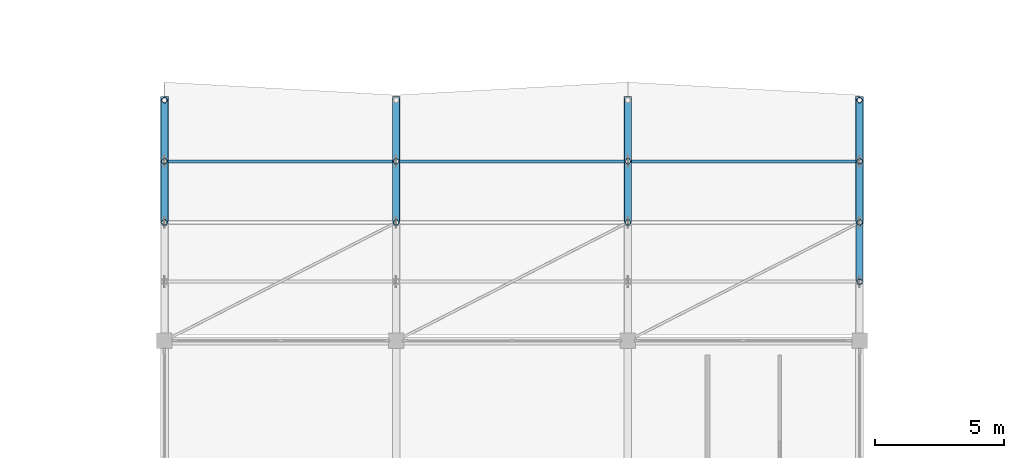
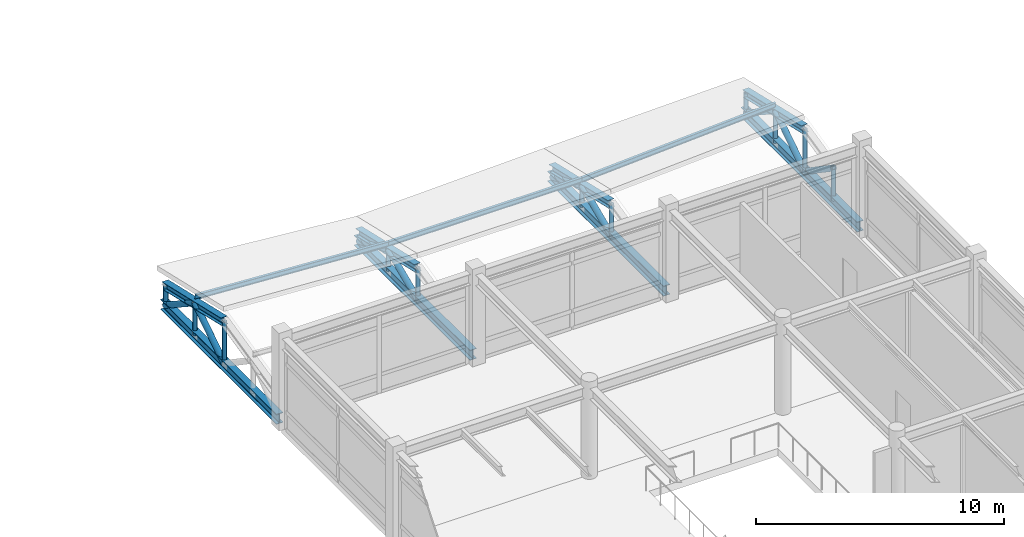
# One storey, part 27 of 61: 27 members, 4 beams.
"""IFC4 building model written with IfcOpenShell, lengths in metres."""

from ifc_helpers import new_model, si_unit, direction, frame, origin, origin_2d, place, context, subcontext, project, spatial, hollow_circle, i_section, extrude, material, material_profile, profile_set, type_object, element, save


model = new_model("IFC4")

# Units and contexts
model_context = context("Model", 3, precision=1e-05, world=origin(), true_north=direction((0.0, 1.0)))
body_context = subcontext(model_context, "Body", "Model", "MODEL_VIEW")
ifc_project = project(units=[si_unit("LENGTHUNIT", "METRE"), si_unit("AREAUNIT", "SQUARE_METRE"), si_unit("VOLUMEUNIT", "CUBIC_METRE"), si_unit("PLANEANGLEUNIT", "RADIAN"), si_unit("MASSUNIT", "GRAM", prefix="KILO")], contexts=[model_context])

# Site, building, storey
site_placement = place(None, origin())
site = spatial("IfcSite", under=ifc_project, at=site_placement, CompositionType="ELEMENT")
building_placement = place(site_placement, origin())
building = spatial("IfcBuilding", under=site, at=building_placement, Name="Bozkorgan Art Gallery", CompositionType="ELEMENT")
storey_placement = place(building_placement, frame((0.0, 0.0, 10.199951171875)))
storey = spatial("IfcBuildingStorey", under=building, at=storey_placement, Name="L02", CompositionType="ELEMENT", Elevation=10.199951171875)

# Beams
ifc_material = material(Name="Steel S355J2", Category="steel")
ifc_material_profile_1 = material_profile(ifc_material, i_section(OverallWidth=0.300048828125, OverallDepth=0.5, WebThickness=0.014404296875, FlangeThickness=0.028076171875, FilletRadius=0.027099609375, at=origin_2d()), Name="HEB 500")
ifc_profile_set_1 = profile_set([ifc_material_profile_1], Name="Steel S355J2")
beam_type = type_object("IfcBeamType", Name="BEAM-TB-54", PredefinedType="BEAM", material=ifc_profile_set_1)
for number, where, z_axis, x_axis, name in (
    (1, (74.0, 93.75, 0.25), (0.0, 1.0, 0.0), (-1.0, 0.0, 0.0), "ROOF-V4-STEP2 roof truss 1 bottom chord"),
    (2, (83.0, 93.75, 0.25), (0.0, 1.0, 0.0), (-1.0, 0.0, 0.0), "ROOF-V4-STEP2 roof truss 2 bottom chord"),
    (3, (92.0, 93.75, 0.25), (0.0, 1.0, 0.0), (-1.0, 0.0, 0.0), "ROOF-V4-STEP2 roof truss 3 bottom chord"),
    (4, (101.0, 93.75, 0.25), (0.0, 1.0, 0.0), (-1.0, 0.0, 0.0), "ROOF-V4-STEP2 roof truss 4 bottom chord"),
):
    element("IfcBeam", number, at=place(storey_placement, frame(where, z_axis=z_axis, x_axis=x_axis)), inside=storey, type_object=beam_type, Name=name, PredefinedType="BEAM", context=body_context, shape_type="SweptSolid", body=[
        extrude(i_section(OverallWidth=0.300048828125, OverallDepth=0.5, WebThickness=0.014404296875, FlangeThickness=0.028076171875, FilletRadius=0.027099609375, at=origin_2d()), origin(), (0.0, 0.0, 1.0), 9.340087890625),
    ])

# Members
ifc_material_profile_2 = material_profile(ifc_material, i_section(OverallWidth=0.1201171875, OverallDepth=0.239990234375, WebThickness=0.006103515625, FlangeThickness=0.009765625, FilletRadius=0.014892578125, at=origin_2d()), Name="IPE 240")
ifc_profile_set_2 = profile_set([ifc_material_profile_2], Name="Steel S355J2")
member_type_1 = type_object("IfcMemberType", Name="MEMBER-PR-34", PredefinedType="PURLIN", material=ifc_profile_set_2)
member_1_placement = place(storey_placement, frame((74.0, 100.574951171875, 2.09423828125), z_axis=(0.998286212097, 0.0, -0.058520412987), x_axis=(0.0, 1.0, 0.0)))
element("IfcMember", 5, at=member_1_placement, inside=storey, type_object=member_type_1, Name="ROOF-V4-STEP2 roof purlin 1N", PredefinedType="PURLIN", context=body_context, shape_type="SweptSolid", body=[
    extrude(i_section(OverallWidth=0.1201171875, OverallDepth=0.239990234375, WebThickness=0.006103515625, FlangeThickness=0.009765625, FilletRadius=0.014892578125, at=origin_2d()), origin(), (0.0, 0.0, 1.0), 9.015380859375),
])
member_2_placement = place(storey_placement, frame((83.0, 100.574951171875, 1.566650390625), z_axis=(1.0, 0.0, 0.0), x_axis=(0.0, 1.0, 0.0)))
element("IfcMember", 6, at=member_2_placement, inside=storey, type_object=member_type_1, Name="ROOF-V4-STEP2 roof purlin 2N", PredefinedType="PURLIN", context=body_context, shape_type="SweptSolid", body=[
    extrude(i_section(OverallWidth=0.1201171875, OverallDepth=0.239990234375, WebThickness=0.006103515625, FlangeThickness=0.009765625, FilletRadius=0.014892578125, at=origin_2d()), origin(), (0.0, 0.0, 1.0), 9.0),
])
member_3_placement = place(storey_placement, frame((92.0, 100.574951171875, 1.566650390625), z_axis=(0.998286212097, 0.0, 0.058520412987), x_axis=(0.0, 1.0, 0.0)))
element("IfcMember", 7, at=member_3_placement, inside=storey, type_object=member_type_1, Name="ROOF-V4-STEP2 roof purlin 3N", PredefinedType="PURLIN", context=body_context, shape_type="SweptSolid", body=[
    extrude(i_section(OverallWidth=0.1201171875, OverallDepth=0.239990234375, WebThickness=0.006103515625, FlangeThickness=0.009765625, FilletRadius=0.014892578125, at=origin_2d()), origin(), (0.0, 0.0, 1.0), 9.015380859375),
])
ifc_material_profile_3 = material_profile(ifc_material, i_section(OverallWidth=0.300048828125, OverallDepth=0.35009765625, WebThickness=0.010009765625, FlangeThickness=0.017578125, FilletRadius=0.027099609375, at=origin_2d()), Name="HEA 360")
ifc_profile_set_3 = profile_set([ifc_material_profile_3], Name="Steel S355J2")
member_type_2 = type_object("IfcMemberType", Name="MEMBER-TC-31", PredefinedType="CHORD", material=ifc_profile_set_3)
for number, where, z_axis, x_axis, name in (
    (8, (74.0, 98.199951171875, 2.347412109375), (0.0, 0.974367556786, -0.224961917408), (-1.0, 0.0, 0.0), "ROOF-V4-STEP2 roof truss 1 north top chord"),
    (9, (83.0, 98.199951171875, 1.820068359375), (0.0, 0.974367556786, -0.224961917408), (-1.0, 0.0, 0.0), "ROOF-V4-STEP2 roof truss 2 north top chord"),
    (10, (92.0, 98.199951171875, 1.820068359375), (0.0, 0.974367556786, -0.224961917408), (-1.0, 0.0, 0.0), "ROOF-V4-STEP2 roof truss 3 north top chord"),
    (11, (101.0, 98.199951171875, 2.347412109375), (0.0, 0.974367556786, -0.224961917408), (-1.0, 0.0, 0.0), "ROOF-V4-STEP2 roof truss 4 north top chord"),
):
    element("IfcMember", number, at=place(storey_placement, frame(where, z_axis=z_axis, x_axis=x_axis)), inside=storey, type_object=member_type_2, Name=name, PredefinedType="CHORD", context=body_context, shape_type="SweptSolid", body=[
        extrude(i_section(OverallWidth=0.300048828125, OverallDepth=0.35009765625, WebThickness=0.010009765625, FlangeThickness=0.017578125, FilletRadius=0.027099609375, at=origin_2d()), origin(), (0.0, 0.0, 1.0), 4.875),
    ])
ifc_material_profile_4 = material_profile(ifc_material, hollow_circle(Radius=0.109619140625, WallThickness=0.010009765625, at=origin_2d()), Name="CHS 219.1x10")
ifc_profile_set_4 = profile_set([ifc_material_profile_4], Name="Steel S355J2")
member_type_3 = type_object("IfcMemberType", Name="MEMBER-TP-78", PredefinedType="POST", material=ifc_profile_set_4)
member_4_placement = place(storey_placement, frame((74.0, 98.199951171875, 0.25), z_axis=(0.0, 0.0, 1.0), x_axis=(1.0, 0.0, 0.0)))
element("IfcMember", 12, at=member_4_placement, inside=storey, type_object=member_type_3, Name="ROOF-V4-STEP2 roof truss 1 post 2", PredefinedType="POST", context=body_context, shape_type="SweptSolid", body=[
    extrude(hollow_circle(Radius=0.109619140625, WallThickness=0.010009765625, at=origin_2d()), origin(), (0.0, 0.0, 1.0), 2.097412109375),
])
member_5_placement = place(storey_placement, frame((74.0, 100.574951171875, 0.25), z_axis=(0.0, 0.0, 1.0), x_axis=(1.0, 0.0, 0.0)))
element("IfcMember", 13, at=member_5_placement, inside=storey, type_object=member_type_3, Name="ROOF-V4-STEP2 roof truss 1 post 3", PredefinedType="POST", context=body_context, shape_type="SweptSolid", body=[
    extrude(hollow_circle(Radius=0.109619140625, WallThickness=0.010009765625, at=origin_2d()), origin(), (0.0, 0.0, 1.0), 1.549072265625),
])
member_6_placement = place(storey_placement, frame((74.0, 102.949951171875, 0.25), z_axis=(0.0, 0.0, 1.0), x_axis=(1.0, 0.0, 0.0)))
element("IfcMember", 14, at=member_6_placement, inside=storey, type_object=member_type_3, Name="ROOF-V4-STEP2 roof truss 1 post 4", PredefinedType="POST", context=body_context, shape_type="SweptSolid", body=[
    extrude(hollow_circle(Radius=0.109619140625, WallThickness=0.010009765625, at=origin_2d()), origin(), (0.0, 0.0, 1.0), 1.000732421875),
])
member_7_placement = place(storey_placement, frame((83.0, 98.199951171875, 0.25), z_axis=(0.0, 0.0, 1.0), x_axis=(1.0, 0.0, 0.0)))
element("IfcMember", 15, at=member_7_placement, inside=storey, type_object=member_type_3, Name="ROOF-V4-STEP2 roof truss 2 post 2", PredefinedType="POST", context=body_context, shape_type="SweptSolid", body=[
    extrude(hollow_circle(Radius=0.109619140625, WallThickness=0.010009765625, at=origin_2d()), origin(), (0.0, 0.0, 1.0), 1.570068359375),
])
member_8_placement = place(storey_placement, frame((83.0, 100.574951171875, 0.25), z_axis=(0.0, 0.0, 1.0), x_axis=(1.0, 0.0, 0.0)))
element("IfcMember", 16, at=member_8_placement, inside=storey, type_object=member_type_3, Name="ROOF-V4-STEP2 roof truss 2 post 3", PredefinedType="POST", context=body_context, shape_type="SweptSolid", body=[
    extrude(hollow_circle(Radius=0.109619140625, WallThickness=0.010009765625, at=origin_2d()), origin(), (0.0, 0.0, 1.0), 1.021728515625),
])
member_9_placement = place(storey_placement, frame((92.0, 98.199951171875, 0.25), z_axis=(0.0, 0.0, 1.0), x_axis=(1.0, 0.0, 0.0)))
element("IfcMember", 17, at=member_9_placement, inside=storey, type_object=member_type_3, Name="ROOF-V4-STEP2 roof truss 3 post 2", PredefinedType="POST", context=body_context, shape_type="SweptSolid", body=[
    extrude(hollow_circle(Radius=0.109619140625, WallThickness=0.010009765625, at=origin_2d()), origin(), (0.0, 0.0, 1.0), 1.570068359375),
])
member_10_placement = place(storey_placement, frame((92.0, 100.574951171875, 0.25), z_axis=(0.0, 0.0, 1.0), x_axis=(1.0, 0.0, 0.0)))
element("IfcMember", 18, at=member_10_placement, inside=storey, type_object=member_type_3, Name="ROOF-V4-STEP2 roof truss 3 post 3", PredefinedType="POST", context=body_context, shape_type="SweptSolid", body=[
    extrude(hollow_circle(Radius=0.109619140625, WallThickness=0.010009765625, at=origin_2d()), origin(), (0.0, 0.0, 1.0), 1.021728515625),
])
member_11_placement = place(storey_placement, frame((101.0, 95.89990234375, 0.25), z_axis=(0.0, 0.0, 1.0), x_axis=(1.0, 0.0, 0.0)))
element("IfcMember", 19, at=member_11_placement, inside=storey, type_object=member_type_3, Name="ROOF-V4-STEP2 roof truss 4 post 1", PredefinedType="POST", context=body_context, shape_type="SweptSolid", body=[
    extrude(hollow_circle(Radius=0.109619140625, WallThickness=0.010009765625, at=origin_2d()), origin(), (0.0, 0.0, 1.0), 1.56640625),
])
member_12_placement = place(storey_placement, frame((101.0, 98.199951171875, 0.25), z_axis=(0.0, 0.0, 1.0), x_axis=(1.0, 0.0, 0.0)))
element("IfcMember", 20, at=member_12_placement, inside=storey, type_object=member_type_3, Name="ROOF-V4-STEP2 roof truss 4 post 2", PredefinedType="POST", context=body_context, shape_type="SweptSolid", body=[
    extrude(hollow_circle(Radius=0.109619140625, WallThickness=0.010009765625, at=origin_2d()), origin(), (0.0, 0.0, 1.0), 2.097412109375),
])
member_13_placement = place(storey_placement, frame((101.0, 100.574951171875, 0.25), z_axis=(0.0, 0.0, 1.0), x_axis=(1.0, 0.0, 0.0)))
element("IfcMember", 21, at=member_13_placement, inside=storey, type_object=member_type_3, Name="ROOF-V4-STEP2 roof truss 4 post 3", PredefinedType="POST", context=body_context, shape_type="SweptSolid", body=[
    extrude(hollow_circle(Radius=0.109619140625, WallThickness=0.010009765625, at=origin_2d()), origin(), (0.0, 0.0, 1.0), 1.549072265625),
])
member_14_placement = place(storey_placement, frame((101.0, 102.949951171875, 0.25), z_axis=(0.0, 0.0, 1.0), x_axis=(1.0, 0.0, 0.0)))
element("IfcMember", 22, at=member_14_placement, inside=storey, type_object=member_type_3, Name="ROOF-V4-STEP2 roof truss 4 post 4", PredefinedType="POST", context=body_context, shape_type="SweptSolid", body=[
    extrude(hollow_circle(Radius=0.109619140625, WallThickness=0.010009765625, at=origin_2d()), origin(), (0.0, 0.0, 1.0), 1.000732421875),
])
ifc_material_profile_5 = material_profile(ifc_material, hollow_circle(Radius=0.136474609375, WallThickness=0.012451171875, at=origin_2d()), Name="CHS 273x12.5")
ifc_profile_set_5 = profile_set([ifc_material_profile_5], Name="Steel S355J2")
member_type_4 = type_object("IfcMemberType", Name="MEMBER-TW-28", PredefinedType="BRACE", material=ifc_profile_set_5)
for number, where, z_axis, x_axis, name in (
    (23, (74.0, 98.199951171875, 0.25), (0.0, 0.837584902815, 0.546307176024), (-1.0, 0.0, 0.0), "ROOF-V4-STEP2 roof truss 1 diagonal 3"),
    (24, (74.0, 100.574951171875, 1.799072265625), (0.0, 0.837584902815, -0.546307176024), (-1.0, 0.0, 0.0), "ROOF-V4-STEP2 roof truss 1 diagonal 4"),
):
    element("IfcMember", number, at=place(storey_placement, frame(where, z_axis=z_axis, x_axis=x_axis)), inside=storey, type_object=member_type_4, Name=name, PredefinedType="BRACE", context=body_context, shape_type="SweptSolid", body=[
        extrude(hollow_circle(Radius=0.136474609375, WallThickness=0.012451171875, at=origin_2d()), origin(), (0.0, 0.0, 1.0), 2.83544921875),
    ])
for number, where, z_axis, x_axis, name in (
    (25, (83.0, 98.199951171875, 0.25), (0.0, 0.918602008738, 0.395183943932), (-1.0, 0.0, 0.0), "ROOF-V4-STEP2 roof truss 2 diagonal 3"),
    (26, (83.0, 100.574951171875, 1.271728515625), (0.0, 0.918602008738, -0.395183943932), (-1.0, 0.0, 0.0), "ROOF-V4-STEP2 roof truss 2 diagonal 4"),
    (27, (92.0, 98.199951171875, 0.25), (0.0, 0.918602008738, 0.395183943932), (-1.0, 0.0, 0.0), "ROOF-V4-STEP2 roof truss 3 diagonal 3"),
    (28, (92.0, 100.574951171875, 1.271728515625), (0.0, 0.918602008738, -0.395183943932), (-1.0, 0.0, 0.0), "ROOF-V4-STEP2 roof truss 3 diagonal 4"),
):
    element("IfcMember", number, at=place(storey_placement, frame(where, z_axis=z_axis, x_axis=x_axis)), inside=storey, type_object=member_type_4, Name=name, PredefinedType="BRACE", context=body_context, shape_type="SweptSolid", body=[
        extrude(hollow_circle(Radius=0.136474609375, WallThickness=0.012451171875, at=origin_2d()), origin(), (0.0, 0.0, 1.0), 2.58544921875),
    ])
member_15_placement = place(storey_placement, frame((101.0, 95.89990234375, 1.81640625), z_axis=(0.0, 0.826529771538, -0.562893006495), x_axis=(-1.0, 0.0, 0.0)))
element("IfcMember", 29, at=member_15_placement, inside=storey, type_object=member_type_4, Name="ROOF-V4-STEP2 roof truss 4 diagonal 2", PredefinedType="BRACE", context=body_context, shape_type="SweptSolid", body=[
    extrude(hollow_circle(Radius=0.136474609375, WallThickness=0.012451171875, at=origin_2d()), origin(), (0.0, 0.0, 1.0), 2.78271484375),
])
for number, where, z_axis, x_axis, name in (
    (30, (101.0, 98.199951171875, 0.25), (0.0, 0.837584902815, 0.546307176024), (-1.0, 0.0, 0.0), "ROOF-V4-STEP2 roof truss 4 diagonal 3"),
    (31, (101.0, 100.574951171875, 1.799072265625), (0.0, 0.837584902815, -0.546307176024), (-1.0, 0.0, 0.0), "ROOF-V4-STEP2 roof truss 4 diagonal 4"),
):
    element("IfcMember", number, at=place(storey_placement, frame(where, z_axis=z_axis, x_axis=x_axis)), inside=storey, type_object=member_type_4, Name=name, PredefinedType="BRACE", context=body_context, shape_type="SweptSolid", body=[
        extrude(hollow_circle(Radius=0.136474609375, WallThickness=0.012451171875, at=origin_2d()), origin(), (0.0, 0.0, 1.0), 2.83544921875),
    ])

save(model, "model.ifc")
